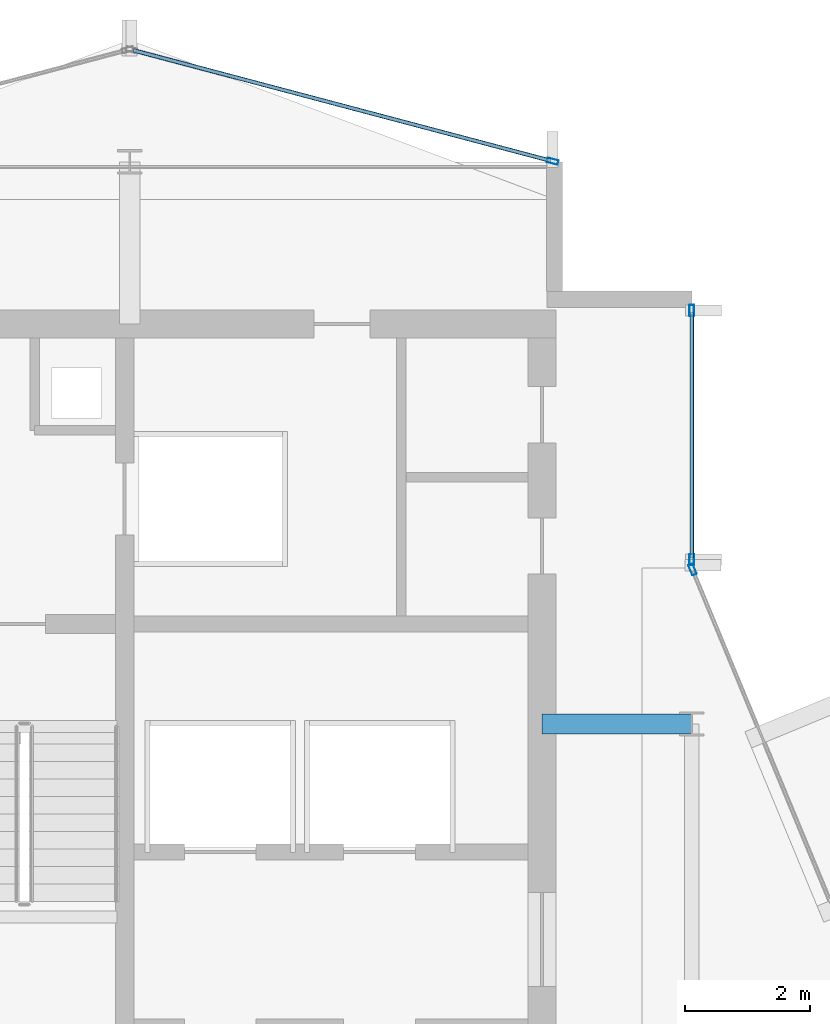
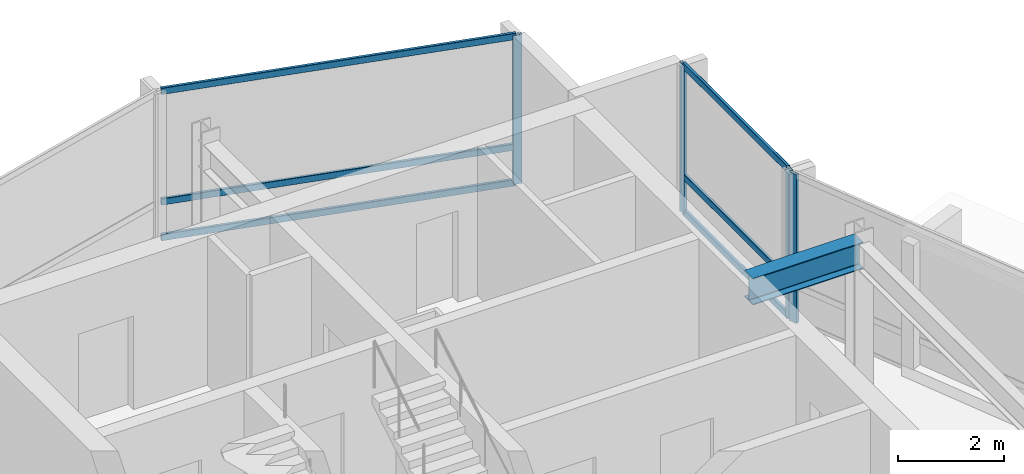
# One storey, part 12 of 19: 10 members, 1 beam, 3 elements without a shape of their own.
"""IFC4 building model written with IfcOpenShell, lengths in metres."""

from ifc_helpers import new_model, si_unit, direction, frame, origin, origin_2d, place, context, subcontext, project, spatial, hollow_rectangle, i_section, extrude, material, layer, layer_set, material_profile, profile_set, type_object, element, aggregate, save


model = new_model("IFC4")

# Units and contexts
model_context = context("Model", 3, precision=1e-05, world=origin(), true_north=direction((0.0, 1.0)))
body_context = subcontext(model_context, "Body", "Model", "MODEL_VIEW")
ifc_project = project(units=[si_unit("LENGTHUNIT", "METRE"), si_unit("AREAUNIT", "SQUARE_METRE"), si_unit("VOLUMEUNIT", "CUBIC_METRE"), si_unit("PLANEANGLEUNIT", "RADIAN"), si_unit("MASSUNIT", "GRAM", prefix="KILO")], contexts=[model_context])

# Site, building, storey
site_placement = place(None, origin())
site = spatial("IfcSite", under=ifc_project, at=site_placement, CompositionType="ELEMENT")
building_placement = place(site_placement, origin())
building = spatial("IfcBuilding", under=site, at=building_placement, Name="Solvaryn Broadcast Tower", CompositionType="ELEMENT")
storey_placement = place(building_placement, frame((0.0, 0.0, 248.199951171875)))
storey = spatial("IfcBuildingStorey", under=building, at=storey_placement, Name="L62", CompositionType="ELEMENT", Elevation=248.199951171875)

# Beam
ifc_material_1 = material(Name="Steel ASTM A992 Grade 50", Category="steel")
ifc_material_profile_1 = material_profile(ifc_material_1, i_section(OverallWidth=0.323974609375, OverallDepth=0.611083984375, WebThickness=0.0126953125, FlangeThickness=0.01904296875, FilletRadius=0.014892578125, at=origin_2d()))
ifc_profile_set_1 = profile_set([ifc_material_profile_1], Name="Steel ASTM A992 Grade 50")
beam_type = type_object("IfcBeamType", Name="BM-B1-W24X104", PredefinedType="BEAM", material=ifc_profile_set_1)
beam_placement = place(storey_placement, frame((24.60009765625, 36.0, 3.114501953125), z_axis=(1.0, 0.0, 0.0), x_axis=(0.0, 1.0, 0.0)))
element("IfcBeam", 1, at=beam_placement, inside=storey, type_object=beam_type, Name="L62 Core Tie Beam CTW2", PredefinedType="BEAM", context=body_context, shape_type="SweptSolid", body=[
    extrude(i_section(OverallWidth=0.323974609375, OverallDepth=0.611083984375, WebThickness=0.0126953125, FlangeThickness=0.01904296875, FilletRadius=0.014892578125, at=origin_2d()), origin(), (0.0, 0.0, 1.0), 2.39990234375),
])

# Curtain wall, members
ifc_material_2 = material(Name="Aluminium and Terracotta Unitised Curtain Wall", Category="masonry")
ifc_layer = layer(ifc_material_2, 0.199951171875)
ifc_layer_set = layer_set([ifc_layer], Name="CW-SYS2-LOWMID")
curtain_wall_type = type_object("IfcCurtainWallType", Name="CW-SYS2-LOWMID", PredefinedType="NOTDEFINED", material=ifc_layer_set)
curtain_wall_1_placement = place(storey_placement, origin())
curtain_wall_1 = element("IfcCurtainWall", 2, at=curtain_wall_1_placement, inside=storey, type_object=curtain_wall_type, Name="L62 Curtain Wall IV", PredefinedType="NOTDEFINED")
ifc_material_3 = material(Name="Anodised Aluminium 6063-T6", Category="aluminium")
ifc_material_profile_2 = material_profile(ifc_material_3, hollow_rectangle(XDim=0.074951171875, YDim=0.179931640625, WallThickness=0.00390625, InnerFilletRadius=0.00390625, OuterFilletRadius=0.008056640625, at=origin_2d()))
ifc_profile_set_2 = profile_set([ifc_material_profile_2], Name="Anodised Aluminium 6063-T6")
member_type_1 = type_object("IfcMemberType", Name="CW-MUL-180", PredefinedType="MULLION", material=ifc_profile_set_2)
member_1_placement = place(storey_placement, frame((27.0, 42.6201171875, 0.0), z_axis=(0.0, 0.0, 1.0), x_axis=(1.0, 0.0, 0.0)))
member_1 = element("IfcMember", 3, at=member_1_placement, type_object=member_type_1, Name="CWS2 mullion 1", PredefinedType="MULLION", context=body_context, shape_type="SweptSolid", body=[
    extrude(hollow_rectangle(XDim=0.074951171875, YDim=0.179931640625, WallThickness=0.00390625, InnerFilletRadius=0.00390625, OuterFilletRadius=0.008056640625, at=origin_2d()), origin(), (0.0, 0.0, 1.0), 3.420166015625),
])
member_2_placement = place(storey_placement, frame((27.0, 38.6298828125, 0.0), z_axis=(0.0, 0.0, 1.0), x_axis=(1.0, 0.0, 0.0)))
member_2 = element("IfcMember", 4, at=member_2_placement, type_object=member_type_1, Name="CWS2 mullion 2", PredefinedType="MULLION", context=body_context, shape_type="SweptSolid", body=[
    extrude(hollow_rectangle(XDim=0.074951171875, YDim=0.179931640625, WallThickness=0.00390625, InnerFilletRadius=0.00390625, OuterFilletRadius=0.008056640625, at=origin_2d()), origin(), (0.0, 0.0, 1.0), 3.420166015625),
])

# Curtain wall, member
curtain_wall_2_placement = place(storey_placement, origin())
curtain_wall_2 = element("IfcCurtainWall", 5, at=curtain_wall_2_placement, inside=storey, type_object=curtain_wall_type, Name="L62 Curtain Wall CN2", PredefinedType="NOTDEFINED")
member_3_placement = place(storey_placement, frame((27.011474609375, 38.47216796875, 0.0), z_axis=(0.0, 0.0, 1.0), x_axis=(-0.923894983957, -0.382646127145, 0.0)))
member_3 = element("IfcMember", 6, at=member_3_placement, type_object=member_type_1, Name="CWS2 mullion 2", PredefinedType="MULLION", context=body_context, shape_type="SweptSolid", body=[
    extrude(hollow_rectangle(XDim=0.074951171875, YDim=0.179931640625, WallThickness=0.00390625, InnerFilletRadius=0.00390625, OuterFilletRadius=0.008056640625, at=origin_2d()), origin(), (0.0, 0.0, 1.0), 3.420166015625),
])
aggregate(curtain_wall_2, [member_3])

curtain_wall_3_placement = place(storey_placement, origin())
curtain_wall_3 = element("IfcCurtainWall", 7, at=curtain_wall_3_placement, inside=storey, type_object=curtain_wall_type, Name="L62 Curtain Wall NT1", PredefinedType="NOTDEFINED")
member_4_placement = place(storey_placement, frame((24.77099609375, 45.007568359375, 0.0), z_axis=(0.0, 0.0, 1.0), x_axis=(-0.25589256031, -0.966705227863, 0.0)))
member_4 = element("IfcMember", 8, at=member_4_placement, type_object=member_type_1, Name="CWS2 mullion 1", PredefinedType="MULLION", context=body_context, shape_type="SweptSolid", body=[
    extrude(hollow_rectangle(XDim=0.074951171875, YDim=0.179931640625, WallThickness=0.00390625, InnerFilletRadius=0.00390625, OuterFilletRadius=0.008056640625, at=origin_2d()), origin(), (0.0, 0.0, 1.0), 3.420166015625),
])

# Member
ifc_material_4 = material(Name="Anodised Aluminium 6063-T6", Category="aluminium")
ifc_material_profile_3 = material_profile(ifc_material_4, hollow_rectangle(XDim=0.06494140625, YDim=0.14990234375, WallThickness=0.00390625, InnerFilletRadius=0.00390625, OuterFilletRadius=0.008056640625, at=origin_2d()))
ifc_profile_set_3 = profile_set([ifc_material_profile_3], Name="Anodised Aluminium 6063-T6")
member_type_2 = type_object("IfcMemberType", Name="CW-TRN-150", PredefinedType="USERDEFINED", material=ifc_profile_set_3)
member_5_placement = place(storey_placement, frame((27.0, 42.590087890625, 0.030029296875), z_axis=(0.0, -1.0, 0.0), x_axis=(1.0, 0.0, 0.0)))
member_5 = element("IfcMember", 9, at=member_5_placement, type_object=member_type_2, Name="CWS2 transom 1.1", ObjectType="TRANSOM", PredefinedType="USERDEFINED", context=body_context, shape_type="SweptSolid", body=[
    extrude(hollow_rectangle(XDim=0.06494140625, YDim=0.14990234375, WallThickness=0.00390625, InnerFilletRadius=0.00390625, OuterFilletRadius=0.008056640625, at=origin_2d()), origin(), (0.0, 0.0, 1.0), 3.93017578125),
])

member_6_placement = place(storey_placement, frame((27.0, 42.590087890625, 0.85009765625), z_axis=(0.0, -1.0, 0.0), x_axis=(1.0, 0.0, 0.0)))
member_6 = element("IfcMember", 10, at=member_6_placement, type_object=member_type_2, Name="CWS2 transom 1.2", ObjectType="TRANSOM", PredefinedType="USERDEFINED", context=body_context, shape_type="SweptSolid", body=[
    extrude(hollow_rectangle(XDim=0.06494140625, YDim=0.14990234375, WallThickness=0.00390625, InnerFilletRadius=0.00390625, OuterFilletRadius=0.008056640625, at=origin_2d()), origin(), (0.0, 0.0, 1.0), 3.93017578125),
])

member_7_placement = place(storey_placement, frame((27.0, 42.590087890625, 3.39013671875), z_axis=(0.0, -1.0, 0.0), x_axis=(1.0, 0.0, 0.0)))
member_7 = element("IfcMember", 11, at=member_7_placement, type_object=member_type_2, Name="CWS2 transom 1.3", ObjectType="TRANSOM", PredefinedType="USERDEFINED", context=body_context, shape_type="SweptSolid", body=[
    extrude(hollow_rectangle(XDim=0.06494140625, YDim=0.14990234375, WallThickness=0.00390625, InnerFilletRadius=0.00390625, OuterFilletRadius=0.008056640625, at=origin_2d()), origin(), (0.0, 0.0, 1.0), 3.93017578125),
])

aggregate(curtain_wall_1, [member_1, member_2, member_5, member_6, member_7])

member_8_placement = place(storey_placement, frame((24.741943359375, 45.015380859375, 0.030029296875), z_axis=(-0.966703943301, 0.255897413051, 0.0), x_axis=(-0.255897413051, -0.966703943301, 0.0)))
member_8 = element("IfcMember", 12, at=member_8_placement, type_object=member_type_2, Name="CWS2 transom 1.1", ObjectType="TRANSOM", PredefinedType="USERDEFINED", context=body_context, shape_type="SweptSolid", body=[
    extrude(hollow_rectangle(XDim=0.06494140625, YDim=0.14990234375, WallThickness=0.00390625, InnerFilletRadius=0.00390625, OuterFilletRadius=0.008056640625, at=origin_2d()), origin(), (0.0, 0.0, 1.0), 6.9140625),
])

member_9_placement = place(storey_placement, frame((24.741943359375, 45.015380859375, 0.85009765625), z_axis=(-0.966703943301, 0.255897413051, 0.0), x_axis=(-0.255897413051, -0.966703943301, 0.0)))
member_9 = element("IfcMember", 13, at=member_9_placement, type_object=member_type_2, Name="CWS2 transom 1.2", ObjectType="TRANSOM", PredefinedType="USERDEFINED", context=body_context, shape_type="SweptSolid", body=[
    extrude(hollow_rectangle(XDim=0.06494140625, YDim=0.14990234375, WallThickness=0.00390625, InnerFilletRadius=0.00390625, OuterFilletRadius=0.008056640625, at=origin_2d()), origin(), (0.0, 0.0, 1.0), 6.9140625),
])

member_10_placement = place(storey_placement, frame((24.741943359375, 45.015380859375, 3.39013671875), z_axis=(-0.966703943301, 0.255897413051, 0.0), x_axis=(-0.255897413051, -0.966703943301, 0.0)))
member_10 = element("IfcMember", 14, at=member_10_placement, type_object=member_type_2, Name="CWS2 transom 1.3", ObjectType="TRANSOM", PredefinedType="USERDEFINED", context=body_context, shape_type="SweptSolid", body=[
    extrude(hollow_rectangle(XDim=0.06494140625, YDim=0.14990234375, WallThickness=0.00390625, InnerFilletRadius=0.00390625, OuterFilletRadius=0.008056640625, at=origin_2d()), origin(), (0.0, 0.0, 1.0), 6.9140625),
])

aggregate(curtain_wall_3, [member_4, member_8, member_9, member_10])

save(model, "model.ifc")
